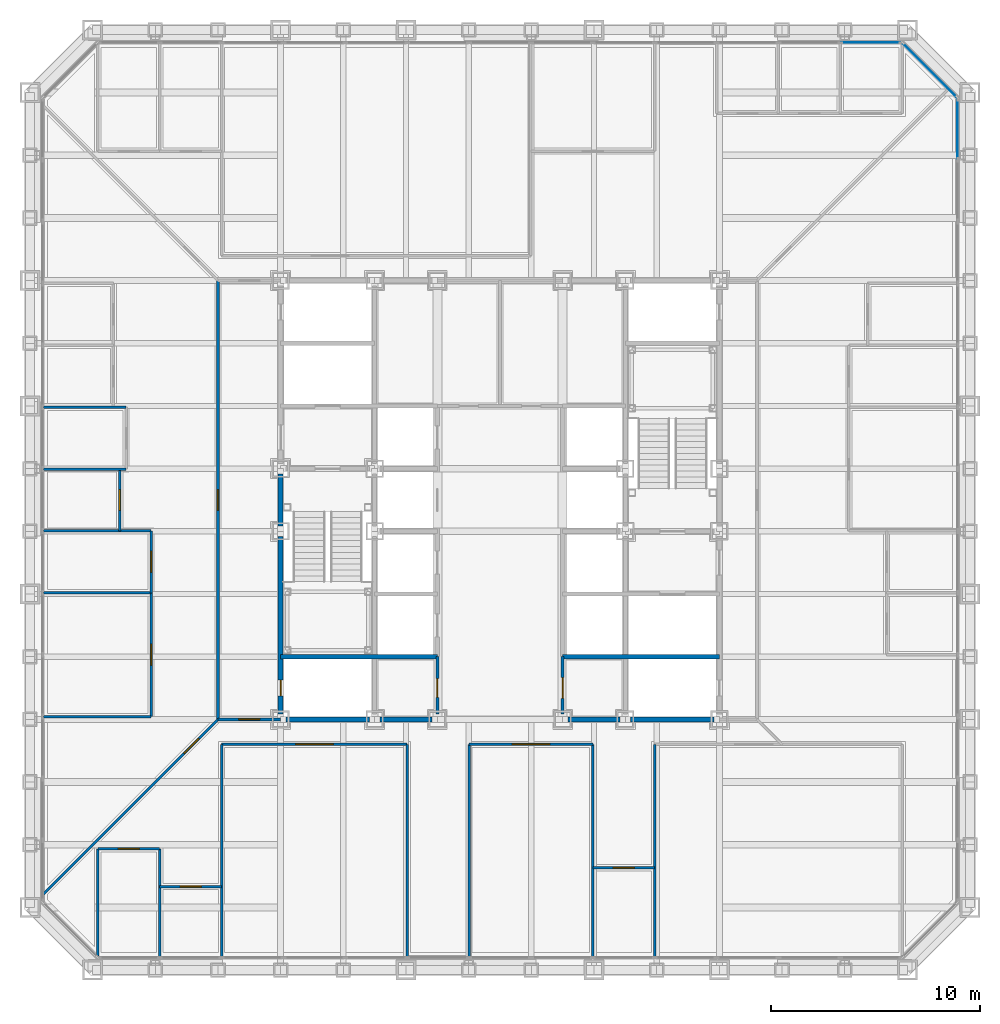
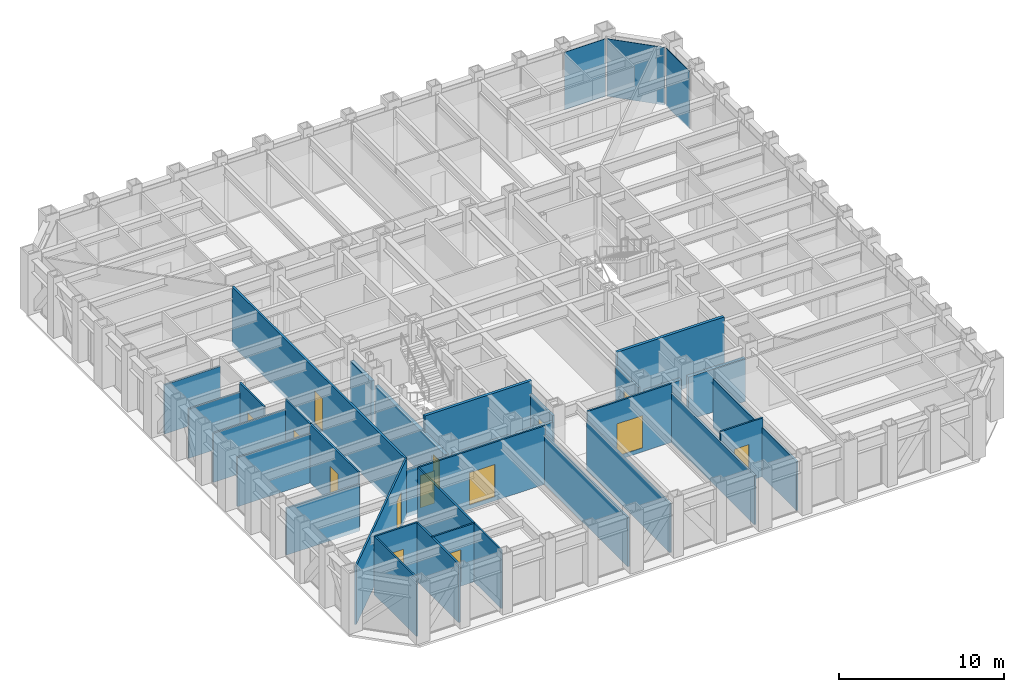
# One storey, part 8 of 17: 33 walls, 14 doors, 3 plates, 14 openings, 3 elements without a shape of their own.
"""IFC4 building model written with IfcOpenShell, lengths in metres."""

from ifc_helpers import new_model, si_unit, direction, frame, frame_2d, origin, origin_2d, place, context, subcontext, project, spatial, rectangle, extrude, material, layer, layer_set, type_object, element, fill, aggregate, save


model = new_model("IFC4")

# Units and contexts
model_context = context("Model", 3, precision=1e-05, world=origin(), true_north=direction((0.0, 1.0)))
body_context = subcontext(model_context, "Body", "Model", "MODEL_VIEW")
ifc_project = project(units=[si_unit("LENGTHUNIT", "METRE"), si_unit("AREAUNIT", "SQUARE_METRE"), si_unit("VOLUMEUNIT", "CUBIC_METRE"), si_unit("PLANEANGLEUNIT", "RADIAN"), si_unit("MASSUNIT", "GRAM", prefix="KILO")], contexts=[model_context])

# Site, building, storey
site_placement = place(None, origin())
site = spatial("IfcSite", under=ifc_project, at=site_placement, CompositionType="ELEMENT")
building_placement = place(site_placement, origin())
building = spatial("IfcBuilding", under=site, at=building_placement, Name="Chuquiago Exchange Tower", CompositionType="ELEMENT")
storey_placement = place(building_placement, frame((0.0, 0.0, 69.300048828125)))
storey = spatial("IfcBuildingStorey", under=building, at=storey_placement, Name="L14", CompositionType="ELEMENT", Elevation=69.300048828125)

# Curtain wall, plate
ifc_material_1 = material(Name="Aluminium curtain wall system", Category="aluminium")
ifc_layer_1 = layer(ifc_material_1, 0.25)
ifc_layer_set_1 = layer_set([ifc_layer_1], Name="CW1 trading floor curtain wall")
curtain_wall_type_1 = type_object("IfcCurtainWallType", Name="CW1 trading floor curtain wall", PredefinedType="NOTDEFINED", material=ifc_layer_set_1)
curtain_wall_1_placement = place(storey_placement, origin())
curtain_wall_1 = element("IfcCurtainWall", 1, at=curtain_wall_1_placement, inside=storey, type_object=curtain_wall_type_1, Name="CW1 curtain wall L14", PredefinedType="NOTDEFINED")
ifc_material_2 = material(Name="Insulated spandrel panel, pale anodised aluminium", Category="aluminium")
ifc_layer_2 = layer(ifc_material_2, 0.031982421875)
ifc_layer_set_2 = layer_set([ifc_layer_2], Name="CW1-P spandrel panel 32")
plate_type_1 = type_object("IfcPlateType", Name="CW1-P spandrel panel 32", PredefinedType="CURTAIN_PANEL", material=ifc_layer_set_2)
plate_1_placement = place(storey_placement, frame((44.39990234375, 40.251953125, -0.22509765625), z_axis=(0.0, 0.0, 1.0), x_axis=(0.0, 1.0, 0.0)))
plate_1 = element("IfcPlate", 2, at=plate_1_placement, type_object=plate_type_1, Name="CW1 panel 13.1", PredefinedType="CURTAIN_PANEL", context=body_context, shape_type="SweptSolid", body=[
    extrude(rectangle(XDim=2.849365234375, YDim=0.031982421875, at=origin_2d()), origin(), (0.0, 0.0, 1.0), 4.264892578125),
])
aggregate(curtain_wall_1, [plate_1])

curtain_wall_2_placement = place(storey_placement, origin())
curtain_wall_2 = element("IfcCurtainWall", 3, at=curtain_wall_2_placement, inside=storey, type_object=curtain_wall_type_1, Name="CW1 curtain wall L14", PredefinedType="NOTDEFINED")
plate_2_placement = place(storey_placement, frame((40.251953125, 44.39990234375, -0.22509765625), z_axis=(0.0, 0.0, 1.0), x_axis=(-1.0, 0.0, 0.0)))
plate_2 = element("IfcPlate", 4, at=plate_2_placement, type_object=plate_type_1, Name="CW1 panel 1.1", PredefinedType="CURTAIN_PANEL", context=body_context, shape_type="SweptSolid", body=[
    extrude(rectangle(XDim=2.849365234375, YDim=0.031982421875, at=origin_2d()), origin(), (0.0, 0.0, 1.0), 4.264892578125),
])
aggregate(curtain_wall_2, [plate_2])

ifc_material_3 = material(Name="Aluminium curtain wall system", Category="aluminium")
ifc_layer_3 = layer(ifc_material_3, 0.199951171875)
ifc_layer_set_3 = layer_set([ifc_layer_3], Name="CW3 facet curtain wall")
curtain_wall_type_2 = type_object("IfcCurtainWallType", Name="CW3 facet curtain wall", PredefinedType="NOTDEFINED", material=ifc_layer_set_3)
curtain_wall_3_placement = place(storey_placement, origin())
curtain_wall_3 = element("IfcCurtainWall", 5, at=curtain_wall_3_placement, inside=storey, type_object=curtain_wall_type_2, Name="CW3 curtain wall L14", PredefinedType="NOTDEFINED")
ifc_material_4 = material(Name="Insulated spandrel panel, pale anodised aluminium", Category="aluminium")
ifc_layer_4 = layer(ifc_material_4, 0.030029296875)
ifc_layer_set_4 = layer_set([ifc_layer_4], Name="CW3-P spandrel panel 30")
plate_type_2 = type_object("IfcPlateType", Name="CW3-P spandrel panel 30", PredefinedType="CURTAIN_PANEL", material=ifc_layer_set_4)
plate_3_placement = place(storey_placement, frame((43.07568359375, 43.07568359375, -0.235107421875), z_axis=(0.0, 0.0, 1.0), x_axis=(-0.707106781187, 0.707106781187, 0.0)))
plate_3 = element("IfcPlate", 6, at=plate_3_placement, type_object=plate_type_2, Name="CW3 panel 1.1", PredefinedType="CURTAIN_PANEL", context=body_context, shape_type="SweptSolid", body=[
    extrude(rectangle(XDim=3.615478515625, YDim=0.030029296875, at=origin_2d()), origin(), (0.0, 0.0, 1.0), 4.27490234375),
])
aggregate(curtain_wall_3, [plate_3])

# Wall, opening, door
ifc_material_5 = material(Name="Concrete masonry, fully grouted", Category="masonry")
ifc_layer_5 = layer(ifc_material_5, 0.25)
ifc_layer_set_5 = layer_set([ifc_layer_5], Name="W1 core wall 250")
wall_type_1 = type_object("IfcWallType", Name="W1 core wall 250", PredefinedType="SOLIDWALL", material=ifc_layer_set_5)
wall_1_placement = place(storey_placement, frame((12.0, 12.25, 0.0), z_axis=(0.0, 0.0, 1.0), x_axis=(0.0, 1.0, 0.0)))
wall_1 = element("IfcWall", 7, at=wall_1_placement, inside=storey, type_object=wall_type_1, Name="CW-L14-00-0", PredefinedType="SOLIDWALL", context=body_context, shape_type="SweptSolid", body=[
    extrude(rectangle(XDim=8.5, YDim=0.25, at=frame_2d((4.25, 0.0))), origin(), (0.0, 0.0, 1.0), 3.11279296875),
])
opening_1_placement = place(wall_1_placement, frame((0.875, 0.0, 0.0)))
opening_1 = element("IfcOpeningElement", 8, at=opening_1_placement, cuts=wall_1, Name="Opening L14-007", PredefinedType="OPENING", context=body_context, shape_type="SweptSolid", body=[
    extrude(rectangle(XDim=0.75, YDim=2.10009765625, at=frame_2d((0.375, 1.050048828125))), frame((0.0, 0.135009765625, 0.0), z_axis=(0.0, -1.0, 0.0), x_axis=(1.0, 0.0, 0.0)), (0.0, 0.0, 1.0), 0.27001953125),
])
ifc_material_6 = material(Name="Steel door, painted", Category="steel")
door_type_1 = type_object("IfcDoorType", Name="D6 riser access door 750x2100", OperationType="SINGLE_SWING_LEFT", PredefinedType="DOOR", material=ifc_material_6)
door_1_placement = place(opening_1_placement, origin())
door_1 = element("IfcDoor", 9, at=door_1_placement, inside=storey, type_object=door_type_1, Name="Riser RW1 door", OperationType="SINGLE_SWING_LEFT", OverallHeight=2.10009765625, OverallWidth=0.75, PredefinedType="DOOR", context=body_context, shape_type="SweptSolid", body=[
    extrude(rectangle(XDim=0.75, YDim=2.10009765625, at=frame_2d((0.375, 1.050048828125))), frame((0.0, 0.02490234375, 0.0), z_axis=(0.0, -1.0, 0.0), x_axis=(1.0, 0.0, 0.0)), (0.0, 0.0, 1.0), 0.050048828125),
])
fill(opening_1, door_1)

# Walls
wall_2_placement = place(storey_placement, frame((12.0, 21.25, 0.0), z_axis=(0.0, 0.0, 1.0), x_axis=(0.0, 1.0, 0.0)))
element("IfcWall", 10, at=wall_2_placement, inside=storey, type_object=wall_type_1, Name="CW-L14-00-1", PredefinedType="SOLIDWALL", context=body_context, shape_type="SweptSolid", body=[
    extrude(rectangle(XDim=2.5, YDim=0.25, at=frame_2d((1.25, 0.0))), origin(), (0.0, 0.0, 1.0), 3.11279296875),
])
wall_3_placement = place(storey_placement, frame((12.25, 12.0, 0.0), z_axis=(0.0, 0.0, 1.0), x_axis=(1.0, 0.0, 0.0)))
element("IfcWall", 11, at=wall_3_placement, inside=storey, type_object=wall_type_1, Name="CW-L14-01-0", PredefinedType="SOLIDWALL", context=body_context, shape_type="SweptSolid", body=[
    extrude(rectangle(XDim=4.0, YDim=0.25, at=frame_2d((2.0, 0.0))), origin(), (0.0, 0.0, 1.0), 3.181396484375),
])
for number, where, z_axis, x_axis, name in (
    (12, (16.75, 12.0, 0.0), (0.0, 0.0, 1.0), (1.0, 0.0, 0.0), "CW-L14-01-1"),
    (13, (25.75, 12.0, 0.0), (0.0, 0.0, 1.0), (1.0, 0.0, 0.0), "CW-L14-02-0"),
):
    element("IfcWall", number, at=place(storey_placement, frame(where, z_axis=z_axis, x_axis=x_axis)), inside=storey, type_object=wall_type_1, Name=name, PredefinedType="SOLIDWALL", context=body_context, shape_type="SweptSolid", body=[
        extrude(rectangle(XDim=2.5, YDim=0.25, at=frame_2d((1.25, 0.0))), origin(), (0.0, 0.0, 1.0), 3.181396484375),
    ])
wall_4_placement = place(storey_placement, frame((28.75, 12.0, 0.0), z_axis=(0.0, 0.0, 1.0), x_axis=(1.0, 0.0, 0.0)))
element("IfcWall", 14, at=wall_4_placement, inside=storey, type_object=wall_type_1, Name="CW-L14-02-1", PredefinedType="SOLIDWALL", context=body_context, shape_type="SweptSolid", body=[
    extrude(rectangle(XDim=4.0, YDim=0.25, at=frame_2d((2.0, 0.0))), origin(), (0.0, 0.0, 1.0), 3.181396484375),
])

# Wall, opening, door
ifc_material_7 = material(Name="Gypsum board on steel studs, acoustic insulation", Category="steel")
ifc_layer_6 = layer(ifc_material_7, 0.14990234375)
ifc_layer_set_6 = layer_set([ifc_layer_6], Name="W11 corridor wall 150")
wall_type_2 = type_object("IfcWallType", Name="W11 corridor wall 150", PredefinedType="PARTITIONING", material=ifc_layer_set_6)
wall_5_placement = place(storey_placement, frame((9.0, 12.0, -0.300048828125), z_axis=(0.0, 0.0, 1.0), x_axis=(0.0, 1.0, 0.0)))
wall_5 = element("IfcWall", 15, at=wall_5_placement, inside=storey, type_object=wall_type_2, Name="PW-L14-GW0", PredefinedType="PARTITIONING", context=body_context, shape_type="SweptSolid", body=[
    extrude(rectangle(XDim=21.0, YDim=0.14990234375, at=frame_2d((10.5, 0.0))), origin(), (0.0, 0.0, 1.0), 4.340087890625),
])
opening_2_placement = place(wall_5_placement, frame((10.0, 0.0, 0.300048828125)))
opening_2 = element("IfcOpeningElement", 16, at=opening_2_placement, cuts=wall_5, Name="Opening L14-043", PredefinedType="OPENING", context=body_context, shape_type="SweptSolid", body=[
    extrude(rectangle(XDim=1.0, YDim=2.39990234375, at=frame_2d((0.5, 1.199951171875))), frame((0.0, 0.0849609375, 0.0), z_axis=(0.0, -1.0, 0.0), x_axis=(1.0, 0.0, 0.0)), (0.0, 0.0, 1.0), 0.169921875),
])
ifc_material_8 = material(Name="Timber door, laminate faced", Category="wood")
door_type_2 = type_object("IfcDoorType", Name="D9 room door 1000x2400", OperationType="SINGLE_SWING_LEFT", PredefinedType="DOOR", material=ifc_material_8)
door_2_placement = place(opening_2_placement, origin())
door_2 = element("IfcDoor", 17, at=door_2_placement, inside=storey, type_object=door_type_2, Name="Team area door", OperationType="SINGLE_SWING_LEFT", OverallHeight=2.39990234375, OverallWidth=1.0, PredefinedType="DOOR", context=body_context, shape_type="SweptSolid", body=[
    extrude(rectangle(XDim=1.0, YDim=2.39990234375, at=frame_2d((0.5, 1.199951171875))), frame((0.0, 0.02490234375, 0.0), z_axis=(0.0, -1.0, 0.0), x_axis=(1.0, 0.0, 0.0)), (0.0, 0.0, 1.0), 0.050048828125),
])
fill(opening_2, door_2)

wall_6_placement = place(storey_placement, frame((9.0, 12.0, -0.300048828125), z_axis=(0.0, 0.0, 1.0), x_axis=(1.0, 0.0, 0.0)))
wall_6 = element("IfcWall", 18, at=wall_6_placement, inside=storey, type_object=wall_type_2, Name="PW-L14-GWS0", PredefinedType="PARTITIONING", context=body_context, shape_type="SweptSolid", body=[
    extrude(rectangle(XDim=3.0, YDim=0.14990234375, at=frame_2d((1.5, 0.0))), origin(), (0.0, 0.0, 1.0), 3.4814453125),
])
opening_3_placement = place(wall_6_placement, frame((1.0, 0.0, 0.300048828125)))
opening_3 = element("IfcOpeningElement", 19, at=opening_3_placement, cuts=wall_6, Name="Opening L14-045", PredefinedType="OPENING", context=body_context, shape_type="SweptSolid", body=[
    extrude(rectangle(XDim=1.0, YDim=2.39990234375, at=frame_2d((0.5, 1.199951171875))), frame((0.0, 0.0849609375, 0.0), z_axis=(0.0, -1.0, 0.0), x_axis=(1.0, 0.0, 0.0)), (0.0, 0.0, 1.0), 0.169921875),
])
door_3_placement = place(opening_3_placement, origin())
door_3 = element("IfcDoor", 20, at=door_3_placement, inside=storey, type_object=door_type_2, Name="Team area door", OperationType="SINGLE_SWING_RIGHT", OverallHeight=2.39990234375, OverallWidth=1.0, PredefinedType="DOOR", context=body_context, shape_type="SweptSolid", body=[
    extrude(rectangle(XDim=1.0, YDim=2.39990234375, at=frame_2d((0.5, 1.199951171875))), frame((0.0, 0.02490234375, 0.0), z_axis=(0.0, -1.0, 0.0), x_axis=(1.0, 0.0, 0.0)), (0.0, 0.0, 1.0), 0.050048828125),
])
fill(opening_3, door_3)

# Walls
ifc_material_9 = material(Name="Concrete masonry, fully grouted", Category="masonry")
ifc_layer_7 = layer(ifc_material_9, 0.199951171875)
ifc_layer_set_7 = layer_set([ifc_layer_7], Name="W2 shaft wall 200")
wall_type_3 = type_object("IfcWallType", Name="W2 shaft wall 200", PredefinedType="SOLIDWALL", material=ifc_layer_set_7)
for number, where, z_axis, x_axis, name in (
    (21, (12.0, 15.0, 0.0), (0.0, 0.0, 1.0), (1.0, 0.0, 0.0), "CW-L14-03-0"),
    (22, (25.5, 15.0, 0.0), (0.0, 0.0, 1.0), (1.0, 0.0, 0.0), "CW-L14-04-0"),
):
    element("IfcWall", number, at=place(storey_placement, frame(where, z_axis=z_axis, x_axis=x_axis)), inside=storey, type_object=wall_type_3, Name=name, PredefinedType="SOLIDWALL", context=body_context, shape_type="SweptSolid", body=[
        extrude(rectangle(XDim=7.5, YDim=0.199951171875, at=frame_2d((3.75, 0.0))), origin(), (0.0, 0.0, 1.0), 4.33984375),
    ])

# Wall, opening, door
ifc_material_10 = material(Name="Gypsum board on steel studs", Category="steel")
ifc_layer_8 = layer(ifc_material_10, 0.14990234375)
ifc_layer_set_8 = layer_set([ifc_layer_8], Name="W3 core partition 150")
wall_type_4 = type_object("IfcWallType", Name="W3 core partition 150", PredefinedType="PARTITIONING", material=ifc_layer_set_8)
wall_7_placement = place(storey_placement, frame((19.5, 12.25, 0.0), z_axis=(0.0, 0.0, 1.0), x_axis=(0.0, 1.0, 0.0)))
wall_7 = element("IfcWall", 23, at=wall_7_placement, inside=storey, type_object=wall_type_4, Name="CW-L14-18-0", PredefinedType="PARTITIONING", context=body_context, shape_type="SweptSolid", body=[
    extrude(rectangle(XDim=2.75, YDim=0.14990234375, at=frame_2d((1.375, 0.0))), origin(), (0.0, 0.0, 1.0), 3.364501953125),
])
opening_4_placement = place(wall_7_placement, frame((0.800048828125, 0.0, 0.0)))
opening_4 = element("IfcOpeningElement", 24, at=opening_4_placement, cuts=wall_7, Name="Opening L14-014", PredefinedType="OPENING", context=body_context, shape_type="SweptSolid", body=[
    extrude(rectangle(XDim=0.89990234375, YDim=2.10009765625, at=frame_2d((0.449951171875, 1.050048828125))), frame((0.0, 0.0849609375, 0.0), z_axis=(0.0, -1.0, 0.0), x_axis=(1.0, 0.0, 0.0)), (0.0, 0.0, 1.0), 0.169921875),
])
ifc_material_11 = material(Name="Timber door, laminate faced", Category="wood")
door_type_3 = type_object("IfcDoorType", Name="D7 toilet door 900x2100", OperationType="SINGLE_SWING_LEFT", PredefinedType="DOOR", material=ifc_material_11)
door_4_placement = place(opening_4_placement, frame((0.89990234375, 0.0, 0.0), z_axis=(0.0, 0.0, 1.0), x_axis=(-1.0, 0.0, 0.0)))
door_4 = element("IfcDoor", 25, at=door_4_placement, inside=storey, type_object=door_type_3, Name="Cleaner door", OperationType="SINGLE_SWING_RIGHT", OverallHeight=2.10009765625, OverallWidth=0.89990234375, PredefinedType="DOOR", context=body_context, shape_type="SweptSolid", body=[
    extrude(rectangle(XDim=0.89990234375, YDim=2.10009765625, at=frame_2d((0.449951171875, 1.050048828125))), frame((0.0, 0.02490234375, 0.0), z_axis=(0.0, -1.0, 0.0), x_axis=(1.0, 0.0, 0.0)), (0.0, 0.0, 1.0), 0.050048828125),
])
fill(opening_4, door_4)

wall_8_placement = place(storey_placement, frame((25.5, 12.25, 0.0), z_axis=(0.0, 0.0, 1.0), x_axis=(0.0, 1.0, 0.0)))
wall_8 = element("IfcWall", 26, at=wall_8_placement, inside=storey, type_object=wall_type_4, Name="CW-L14-21-0", PredefinedType="PARTITIONING", context=body_context, shape_type="SweptSolid", body=[
    extrude(rectangle(XDim=2.75, YDim=0.14990234375, at=frame_2d((1.375, 0.0))), origin(), (0.0, 0.0, 1.0), 3.364501953125),
])
opening_5_placement = place(wall_8_placement, frame((0.75, 0.0, 0.0)))
opening_5 = element("IfcOpeningElement", 27, at=opening_5_placement, cuts=wall_8, Name="Opening L14-013", PredefinedType="OPENING", context=body_context, shape_type="SweptSolid", body=[
    extrude(rectangle(XDim=1.0, YDim=2.10009765625, at=frame_2d((0.5, 1.050048828125))), frame((0.0, 0.0849609375, 0.0), z_axis=(0.0, -1.0, 0.0), x_axis=(1.0, 0.0, 0.0)), (0.0, 0.0, 1.0), 0.169921875),
])
ifc_material_12 = material(Name="Timber door, laminate faced", Category="wood")
door_type_4 = type_object("IfcDoorType", Name="D8 accessible toilet door 1000x2100", OperationType="SLIDING_TO_LEFT", PredefinedType="DOOR", material=ifc_material_12)
door_5_placement = place(opening_5_placement, origin())
door_5 = element("IfcDoor", 28, at=door_5_placement, inside=storey, type_object=door_type_4, Name="Accessible WC door", OperationType="SLIDING_TO_LEFT", OverallHeight=2.10009765625, OverallWidth=1.0, PredefinedType="DOOR", context=body_context, shape_type="SweptSolid", body=[
    extrude(rectangle(XDim=1.0, YDim=2.10009765625, at=frame_2d((0.5, 1.050048828125))), frame((0.0, 0.02490234375, 0.0), z_axis=(0.0, -1.0, 0.0), x_axis=(1.0, 0.0, 0.0)), (0.0, 0.0, 1.0), 0.050048828125),
])
fill(opening_5, door_5)

# Walls
ifc_material_13 = material(Name="Gypsum board on steel studs", Category="steel")
ifc_layer_9 = layer(ifc_material_13, 0.1201171875)
ifc_layer_set_9 = layer_set([ifc_layer_9], Name="W4 partition 120")
wall_type_5 = type_object("IfcWallType", Name="W4 partition 120", PredefinedType="PARTITIONING", material=ifc_layer_set_9)
wall_9_placement = place(storey_placement, frame((3.24853515625, 0.666015625, -0.300048828125), z_axis=(0.0, 0.0, 1.0), x_axis=(0.0, 1.0, 0.0)))
element("IfcWall", 29, at=wall_9_placement, inside=storey, type_object=wall_type_5, Name="PW-L14-S00325", PredefinedType="PARTITIONING", context=body_context, shape_type="SweptSolid", body=[
    extrude(rectangle(XDim=5.134033203125, YDim=0.1201171875, at=frame_2d((2.56689453125, 0.0))), origin(), (0.0, 0.0, 1.0), 4.340087890625),
])
wall_10_placement = place(storey_placement, frame((6.210205078125, 0.657470703125, -0.300048828125), z_axis=(0.0, 0.0, 1.0), x_axis=(0.0, 1.0, 0.0)))
element("IfcWall", 30, at=wall_10_placement, inside=storey, type_object=wall_type_5, Name="PW-L14-S00621", PredefinedType="PARTITIONING", context=body_context, shape_type="SweptSolid", body=[
    extrude(rectangle(XDim=5.142578125, YDim=0.1201171875, at=frame_2d((2.5712890625, 0.0))), origin(), (0.0, 0.0, 1.0), 4.340087890625),
])
wall_11_placement = place(storey_placement, frame((9.172119140625, 0.657470703125, -0.300048828125), z_axis=(0.0, 0.0, 1.0), x_axis=(0.0, 1.0, 0.0)))
element("IfcWall", 31, at=wall_11_placement, inside=storey, type_object=wall_type_5, Name="PW-L14-S00917", PredefinedType="PARTITIONING", context=body_context, shape_type="SweptSolid", body=[
    extrude(rectangle(XDim=10.142578125, YDim=0.1201171875, at=frame_2d((5.0712890625, 0.0))), origin(), (0.0, 0.0, 1.0), 4.340087890625),
])
for number, where, z_axis, x_axis, name in (
    (32, (18.057373046875, 0.657470703125, -0.300048828125), (0.0, 0.0, 1.0), (0.0, 1.0, 0.0), "PW-L14-S01806"),
    (33, (21.01904296875, 0.657470703125, -0.300048828125), (0.0, 0.0, 1.0), (0.0, 1.0, 0.0), "PW-L14-S02102"),
    (34, (26.942626953125, 0.657470703125, -0.300048828125), (0.0, 0.0, 1.0), (0.0, 1.0, 0.0), "PW-L14-S02694"),
    (35, (29.904296875, 0.657470703125, -0.300048828125), (0.0, 0.0, 1.0), (0.0, 1.0, 0.0), "PW-L14-S02990"),
):
    element("IfcWall", number, at=place(storey_placement, frame(where, z_axis=z_axis, x_axis=x_axis)), inside=storey, type_object=wall_type_5, Name=name, PredefinedType="PARTITIONING", context=body_context, shape_type="SweptSolid", body=[
        extrude(rectangle(XDim=10.142578125, YDim=0.1201171875, at=frame_2d((5.0712890625, 0.0))), origin(), (0.0, 0.0, 1.0), 3.646484375),
    ])

# Wall, opening, door
wall_12_placement = place(storey_placement, frame((3.24853515625, 5.800048828125, -0.300048828125), z_axis=(0.0, 0.0, 1.0), x_axis=(1.0, 0.0, 0.0)))
wall_12 = element("IfcWall", 36, at=wall_12_placement, inside=storey, type_object=wall_type_5, Name="PW-L14-SF00325", PredefinedType="PARTITIONING", context=body_context, shape_type="SweptSolid", body=[
    extrude(rectangle(XDim=2.961669921875, YDim=0.1201171875, at=frame_2d((1.48095703125, 0.0))), origin(), (0.0, 0.0, 1.0), 4.340087890625),
])
opening_6_placement = place(wall_12_placement, frame((0.98095703125, 0.0, 0.300048828125)))
opening_6 = element("IfcOpeningElement", 37, at=opening_6_placement, cuts=wall_12, Name="Opening L14-019", PredefinedType="OPENING", context=body_context, shape_type="SweptSolid", body=[
    extrude(rectangle(XDim=1.0, YDim=2.39990234375, at=frame_2d((0.5, 1.199951171875))), frame((0.0, 0.070068359375, 0.0), z_axis=(0.0, -1.0, 0.0), x_axis=(1.0, 0.0, 0.0)), (0.0, 0.0, 1.0), 0.14013671875),
])
door_6_placement = place(opening_6_placement, frame((1.0, 0.0, 0.0), z_axis=(0.0, 0.0, 1.0), x_axis=(-1.0, 0.0, 0.0)))
door_6 = element("IfcDoor", 38, at=door_6_placement, inside=storey, type_object=door_type_2, Name="Office door", OperationType="SINGLE_SWING_RIGHT", OverallHeight=2.39990234375, OverallWidth=1.0, PredefinedType="DOOR", context=body_context, shape_type="SweptSolid", body=[
    extrude(rectangle(XDim=1.0, YDim=2.39990234375, at=frame_2d((0.5, 1.199951171875))), frame((0.0, 0.02490234375, 0.0), z_axis=(0.0, -1.0, 0.0), x_axis=(1.0, 0.0, 0.0)), (0.0, 0.0, 1.0), 0.050048828125),
])
fill(opening_6, door_6)

wall_13_placement = place(storey_placement, frame((6.210205078125, 4.0, -0.300048828125), z_axis=(0.0, 0.0, 1.0), x_axis=(1.0, 0.0, 0.0)))
wall_13 = element("IfcWall", 39, at=wall_13_placement, inside=storey, type_object=wall_type_5, Name="PW-L14-SF00621", PredefinedType="PARTITIONING", context=body_context, shape_type="SweptSolid", body=[
    extrude(rectangle(XDim=2.9619140625, YDim=0.1201171875, at=frame_2d((1.48095703125, 0.0))), origin(), (0.0, 0.0, 1.0), 4.340087890625),
])
opening_7_placement = place(wall_13_placement, frame((0.98095703125, 0.0, 0.300048828125)))
opening_7 = element("IfcOpeningElement", 40, at=opening_7_placement, cuts=wall_13, Name="Opening L14-020", PredefinedType="OPENING", context=body_context, shape_type="SweptSolid", body=[
    extrude(rectangle(XDim=1.0, YDim=2.39990234375, at=frame_2d((0.5, 1.199951171875))), frame((0.0, 0.070068359375, 0.0), z_axis=(0.0, -1.0, 0.0), x_axis=(1.0, 0.0, 0.0)), (0.0, 0.0, 1.0), 0.14013671875),
])
ifc_material_14 = material(Name="Timber frame door, full height glazed panel", Category="wood")
door_type_5 = type_object("IfcDoorType", Name="D14 glazed meeting room door 1000x2400", OperationType="SINGLE_SWING_LEFT", PredefinedType="DOOR", material=ifc_material_14)
door_7_placement = place(opening_7_placement, frame((1.0, 0.0, 0.0), z_axis=(0.0, 0.0, 1.0), x_axis=(-1.0, 0.0, 0.0)))
door_7 = element("IfcDoor", 41, at=door_7_placement, inside=storey, type_object=door_type_5, Name="Focus room door", OperationType="SINGLE_SWING_RIGHT", OverallHeight=2.39990234375, OverallWidth=1.0, PredefinedType="DOOR", context=body_context, shape_type="SweptSolid", body=[
    extrude(rectangle(XDim=1.0, YDim=2.39990234375, at=frame_2d((0.5, 1.199951171875))), frame((0.0, 0.02490234375, 0.0), z_axis=(0.0, -1.0, 0.0), x_axis=(1.0, 0.0, 0.0)), (0.0, 0.0, 1.0), 0.050048828125),
])
fill(opening_7, door_7)

wall_14_placement = place(storey_placement, frame((9.172119140625, 10.800048828125, -0.300048828125), z_axis=(0.0, 0.0, 1.0), x_axis=(1.0, 0.0, 0.0)))
wall_14 = element("IfcWall", 42, at=wall_14_placement, inside=storey, type_object=wall_type_5, Name="PW-L14-SF00917", PredefinedType="PARTITIONING", context=body_context, shape_type="SweptSolid", body=[
    extrude(rectangle(XDim=8.88525390625, YDim=0.1201171875, at=frame_2d((4.442626953125, 0.0))), origin(), (0.0, 0.0, 1.0), 4.340087890625),
])
opening_8_placement = place(wall_14_placement, frame((3.542724609375, 0.0, 0.300048828125)))
opening_8 = element("IfcOpeningElement", 43, at=opening_8_placement, cuts=wall_14, Name="Opening L14-021", PredefinedType="OPENING", context=body_context, shape_type="SweptSolid", body=[
    extrude(rectangle(XDim=1.800048828125, YDim=2.39990234375, at=frame_2d((0.89990234375, 1.199951171875))), frame((0.0, 0.070068359375, 0.0), z_axis=(0.0, -1.0, 0.0), x_axis=(1.0, 0.0, 0.0)), (0.0, 0.0, 1.0), 0.14013671875),
])
ifc_material_15 = material(Name="Timber door pair, laminate faced", Category="wood")
door_type_6 = type_object("IfcDoorType", Name="D15 double room door 1800x2400", OperationType="DOUBLE_DOOR_DOUBLE_SWING", PredefinedType="DOOR", material=ifc_material_15)
door_8_placement = place(opening_8_placement, origin())
door_8 = element("IfcDoor", 44, at=door_8_placement, inside=storey, type_object=door_type_6, Name="Trading room door", OperationType="DOUBLE_DOOR_DOUBLE_SWING", OverallHeight=2.39990234375, OverallWidth=1.800048828125, PredefinedType="DOOR", context=body_context, shape_type="SweptSolid", body=[
    extrude(rectangle(XDim=1.800048828125, YDim=2.39990234375, at=frame_2d((0.89990234375, 1.199951171875))), frame((0.0, 0.02490234375, 0.0), z_axis=(0.0, -1.0, 0.0), x_axis=(1.0, 0.0, 0.0)), (0.0, 0.0, 1.0), 0.050048828125),
])
fill(opening_8, door_8)

wall_15_placement = place(storey_placement, frame((21.01904296875, 10.800048828125, -0.300048828125), z_axis=(0.0, 0.0, 1.0), x_axis=(1.0, 0.0, 0.0)))
wall_15 = element("IfcWall", 45, at=wall_15_placement, inside=storey, type_object=wall_type_5, Name="PW-L14-SF02102", PredefinedType="PARTITIONING", context=body_context, shape_type="SweptSolid", body=[
    extrude(rectangle(XDim=5.923583984375, YDim=0.1201171875, at=frame_2d((2.9619140625, 0.0))), origin(), (0.0, 0.0, 1.0), 4.340087890625),
])
opening_9_placement = place(wall_15_placement, frame((2.061767578125, 0.0, 0.300048828125)))
opening_9 = element("IfcOpeningElement", 46, at=opening_9_placement, cuts=wall_15, Name="Opening L14-022", PredefinedType="OPENING", context=body_context, shape_type="SweptSolid", body=[
    extrude(rectangle(XDim=1.800048828125, YDim=2.39990234375, at=frame_2d((0.89990234375, 1.199951171875))), frame((0.0, 0.070068359375, 0.0), z_axis=(0.0, -1.0, 0.0), x_axis=(1.0, 0.0, 0.0)), (0.0, 0.0, 1.0), 0.14013671875),
])
door_9_placement = place(opening_9_placement, origin())
door_9 = element("IfcDoor", 47, at=door_9_placement, inside=storey, type_object=door_type_6, Name="Trading room door", OperationType="DOUBLE_DOOR_DOUBLE_SWING", OverallHeight=2.39990234375, OverallWidth=1.800048828125, PredefinedType="DOOR", context=body_context, shape_type="SweptSolid", body=[
    extrude(rectangle(XDim=1.800048828125, YDim=2.39990234375, at=frame_2d((0.89990234375, 1.199951171875))), frame((0.0, 0.02490234375, 0.0), z_axis=(0.0, -1.0, 0.0), x_axis=(1.0, 0.0, 0.0)), (0.0, 0.0, 1.0), 0.050048828125),
])
fill(opening_9, door_9)

wall_16_placement = place(storey_placement, frame((26.942626953125, 4.89990234375, -0.300048828125), z_axis=(0.0, 0.0, 1.0), x_axis=(1.0, 0.0, 0.0)))
wall_16 = element("IfcWall", 48, at=wall_16_placement, inside=storey, type_object=wall_type_5, Name="PW-L14-SF02694", PredefinedType="PARTITIONING", context=body_context, shape_type="SweptSolid", body=[
    extrude(rectangle(XDim=2.961669921875, YDim=0.1201171875, at=frame_2d((1.48095703125, 0.0))), origin(), (0.0, 0.0, 1.0), 4.340087890625),
])
opening_10_placement = place(wall_16_placement, frame((0.98095703125, 0.0, 0.300048828125)))
opening_10 = element("IfcOpeningElement", 49, at=opening_10_placement, cuts=wall_16, Name="Opening L14-023", PredefinedType="OPENING", context=body_context, shape_type="SweptSolid", body=[
    extrude(rectangle(XDim=1.0, YDim=2.39990234375, at=frame_2d((0.5, 1.199951171875))), frame((0.0, 0.070068359375, 0.0), z_axis=(0.0, -1.0, 0.0), x_axis=(1.0, 0.0, 0.0)), (0.0, 0.0, 1.0), 0.14013671875),
])
door_10_placement = place(opening_10_placement, frame((1.0, 0.0, 0.0), z_axis=(0.0, 0.0, 1.0), x_axis=(-1.0, 0.0, 0.0)))
door_10 = element("IfcDoor", 50, at=door_10_placement, inside=storey, type_object=door_type_2, Name="Comms room door", OperationType="SINGLE_SWING_RIGHT", OverallHeight=2.39990234375, OverallWidth=1.0, PredefinedType="DOOR", context=body_context, shape_type="SweptSolid", body=[
    extrude(rectangle(XDim=1.0, YDim=2.39990234375, at=frame_2d((0.5, 1.199951171875))), frame((0.0, 0.02490234375, 0.0), z_axis=(0.0, -1.0, 0.0), x_axis=(1.0, 0.0, 0.0)), (0.0, 0.0, 1.0), 0.050048828125),
])
fill(opening_10, door_10)

# Walls
wall_17_placement = place(storey_placement, frame((0.657470703125, 12.1337890625, -0.300048828125), z_axis=(0.0, 0.0, 1.0), x_axis=(1.0, 0.0, 0.0)))
element("IfcWall", 51, at=wall_17_placement, inside=storey, type_object=wall_type_5, Name="PW-L14-W01213", PredefinedType="PARTITIONING", context=body_context, shape_type="SweptSolid", body=[
    extrude(rectangle(XDim=5.142578125, YDim=0.1201171875, at=frame_2d((2.5712890625, 0.0))), origin(), (0.0, 0.0, 1.0), 3.4814453125),
])
for number, where, z_axis, x_axis, name in (
    (52, (0.657470703125, 18.057373046875, -0.300048828125), (0.0, 0.0, 1.0), (1.0, 0.0, 0.0), "PW-L14-W01806"),
    (53, (0.657470703125, 21.01904296875, -0.300048828125), (0.0, 0.0, 1.0), (1.0, 0.0, 0.0), "PW-L14-W02102"),
):
    element("IfcWall", number, at=place(storey_placement, frame(where, z_axis=z_axis, x_axis=x_axis)), inside=storey, type_object=wall_type_5, Name=name, PredefinedType="PARTITIONING", context=body_context, shape_type="SweptSolid", body=[
        extrude(rectangle(XDim=5.142578125, YDim=0.1201171875, at=frame_2d((2.5712890625, 0.0))), origin(), (0.0, 0.0, 1.0), 3.646484375),
    ])
for number, where, z_axis, x_axis, name in (
    (54, (0.657470703125, 23.98095703125, -0.300048828125), (0.0, 0.0, 1.0), (1.0, 0.0, 0.0), "PW-L14-W02398"),
    (55, (0.657470703125, 26.942626953125, -0.300048828125), (0.0, 0.0, 1.0), (1.0, 0.0, 0.0), "PW-L14-W02694"),
):
    element("IfcWall", number, at=place(storey_placement, frame(where, z_axis=z_axis, x_axis=x_axis)), inside=storey, type_object=wall_type_5, Name=name, PredefinedType="PARTITIONING", context=body_context, shape_type="SweptSolid", body=[
        extrude(rectangle(XDim=3.942626953125, YDim=0.1201171875, at=frame_2d((1.97119140625, 0.0))), origin(), (0.0, 0.0, 1.0), 3.646484375),
    ])

# Wall, opening, door
wall_18_placement = place(storey_placement, frame((5.800048828125, 12.1337890625, -0.300048828125), z_axis=(0.0, 0.0, 1.0), x_axis=(0.0, 1.0, 0.0)))
wall_18 = element("IfcWall", 56, at=wall_18_placement, inside=storey, type_object=wall_type_5, Name="PW-L14-WF01213", PredefinedType="PARTITIONING", context=body_context, shape_type="SweptSolid", body=[
    extrude(rectangle(XDim=5.923583984375, YDim=0.1201171875, at=frame_2d((2.9619140625, 0.0))), origin(), (0.0, 0.0, 1.0), 4.340087890625),
])
opening_11_placement = place(wall_18_placement, frame((2.4619140625, 0.0, 0.300048828125)))
opening_11 = element("IfcOpeningElement", 57, at=opening_11_placement, cuts=wall_18, Name="Opening L14-037", PredefinedType="OPENING", context=body_context, shape_type="SweptSolid", body=[
    extrude(rectangle(XDim=1.0, YDim=2.39990234375, at=frame_2d((0.5, 1.199951171875))), frame((0.0, 0.070068359375, 0.0), z_axis=(0.0, -1.0, 0.0), x_axis=(1.0, 0.0, 0.0)), (0.0, 0.0, 1.0), 0.14013671875),
])
door_11_placement = place(opening_11_placement, origin())
door_11 = element("IfcDoor", 58, at=door_11_placement, inside=storey, type_object=door_type_5, Name="Meeting room door", OperationType="SINGLE_SWING_LEFT", OverallHeight=2.39990234375, OverallWidth=1.0, PredefinedType="DOOR", context=body_context, shape_type="SweptSolid", body=[
    extrude(rectangle(XDim=1.0, YDim=2.39990234375, at=frame_2d((0.5, 1.199951171875))), frame((0.0, 0.02490234375, 0.0), z_axis=(0.0, -1.0, 0.0), x_axis=(1.0, 0.0, 0.0)), (0.0, 0.0, 1.0), 0.050048828125),
])
fill(opening_11, door_11)

wall_19_placement = place(storey_placement, frame((5.800048828125, 18.057373046875, -0.300048828125), z_axis=(0.0, 0.0, 1.0), x_axis=(0.0, 1.0, 0.0)))
wall_19 = element("IfcWall", 59, at=wall_19_placement, inside=storey, type_object=wall_type_5, Name="PW-L14-WF01806", PredefinedType="PARTITIONING", context=body_context, shape_type="SweptSolid", body=[
    extrude(rectangle(XDim=2.961669921875, YDim=0.1201171875, at=frame_2d((1.48095703125, 0.0))), origin(), (0.0, 0.0, 1.0), 4.340087890625),
])
opening_12_placement = place(wall_19_placement, frame((0.98095703125, 0.0, 0.300048828125)))
opening_12 = element("IfcOpeningElement", 60, at=opening_12_placement, cuts=wall_19, Name="Opening L14-038", PredefinedType="OPENING", context=body_context, shape_type="SweptSolid", body=[
    extrude(rectangle(XDim=1.0, YDim=2.39990234375, at=frame_2d((0.5, 1.199951171875))), frame((0.0, 0.070068359375, 0.0), z_axis=(0.0, -1.0, 0.0), x_axis=(1.0, 0.0, 0.0)), (0.0, 0.0, 1.0), 0.14013671875),
])
door_12_placement = place(opening_12_placement, origin())
door_12 = element("IfcDoor", 61, at=door_12_placement, inside=storey, type_object=door_type_2, Name="Office door", OperationType="SINGLE_SWING_RIGHT", OverallHeight=2.39990234375, OverallWidth=1.0, PredefinedType="DOOR", context=body_context, shape_type="SweptSolid", body=[
    extrude(rectangle(XDim=1.0, YDim=2.39990234375, at=frame_2d((0.5, 1.199951171875))), frame((0.0, 0.02490234375, 0.0), z_axis=(0.0, -1.0, 0.0), x_axis=(1.0, 0.0, 0.0)), (0.0, 0.0, 1.0), 0.050048828125),
])
fill(opening_12, door_12)

wall_20_placement = place(storey_placement, frame((4.300048828125, 21.01904296875, -0.300048828125), z_axis=(0.0, 0.0, 1.0), x_axis=(0.0, 1.0, 0.0)))
wall_20 = element("IfcWall", 62, at=wall_20_placement, inside=storey, type_object=wall_type_5, Name="PW-L14-WF02102", PredefinedType="PARTITIONING", context=body_context, shape_type="SweptSolid", body=[
    extrude(rectangle(XDim=2.9619140625, YDim=0.1201171875, at=frame_2d((1.48095703125, 0.0))), origin(), (0.0, 0.0, 1.0), 4.340087890625),
])
opening_13_placement = place(wall_20_placement, frame((0.98095703125, 0.0, 0.300048828125)))
opening_13 = element("IfcOpeningElement", 63, at=opening_13_placement, cuts=wall_20, Name="Opening L14-039", PredefinedType="OPENING", context=body_context, shape_type="SweptSolid", body=[
    extrude(rectangle(XDim=1.0, YDim=2.39990234375, at=frame_2d((0.5, 1.199951171875))), frame((0.0, 0.070068359375, 0.0), z_axis=(0.0, -1.0, 0.0), x_axis=(1.0, 0.0, 0.0)), (0.0, 0.0, 1.0), 0.14013671875),
])
door_13_placement = place(opening_13_placement, origin())
door_13 = element("IfcDoor", 64, at=door_13_placement, inside=storey, type_object=door_type_2, Name="Store door", OperationType="SINGLE_SWING_RIGHT", OverallHeight=2.39990234375, OverallWidth=1.0, PredefinedType="DOOR", context=body_context, shape_type="SweptSolid", body=[
    extrude(rectangle(XDim=1.0, YDim=2.39990234375, at=frame_2d((0.5, 1.199951171875))), frame((0.0, 0.02490234375, 0.0), z_axis=(0.0, -1.0, 0.0), x_axis=(1.0, 0.0, 0.0)), (0.0, 0.0, 1.0), 0.050048828125),
])
fill(opening_13, door_13)

wall_21_placement = place(storey_placement, frame((9.0, 12.0, -0.300048828125), z_axis=(0.0, 0.0, 1.0), x_axis=(-0.707106781187, -0.707106781187, 0.0)))
wall_21 = element("IfcWall", 65, at=wall_21_placement, inside=storey, type_object=wall_type_5, Name="PW-L14-QSW", PredefinedType="PARTITIONING", context=body_context, shape_type="SweptSolid", body=[
    extrude(rectangle(XDim=11.84228515625, YDim=0.1201171875, at=frame_2d((5.921142578125, 0.0))), origin(), (0.0, 0.0, 1.0), 4.340087890625),
])
opening_14_placement = place(wall_21_placement, frame((1.300048828125, 0.0, 0.300048828125)))
opening_14 = element("IfcOpeningElement", 66, at=opening_14_placement, cuts=wall_21, Name="Opening L14-049", PredefinedType="OPENING", context=body_context, shape_type="SweptSolid", body=[
    extrude(rectangle(XDim=1.0, YDim=2.39990234375, at=frame_2d((0.5, 1.199951171875))), frame((0.0, 0.070068359375, 0.0), z_axis=(0.0, -1.0, 0.0), x_axis=(1.0, 0.0, 0.0)), (0.0, 0.0, 1.0), 0.14013671875),
])
door_14_placement = place(opening_14_placement, frame((1.0, 0.0, 0.0), z_axis=(0.0, 0.0, 1.0), x_axis=(-1.0, 0.0, 0.0)))
door_14 = element("IfcDoor", 67, at=door_14_placement, inside=storey, type_object=door_type_2, Name="Team area door", OperationType="SINGLE_SWING_RIGHT", OverallHeight=2.39990234375, OverallWidth=1.0, PredefinedType="DOOR", context=body_context, shape_type="SweptSolid", body=[
    extrude(rectangle(XDim=1.0, YDim=2.39990234375, at=frame_2d((0.5, 1.199951171875))), frame((0.0, 0.02490234375, 0.0), z_axis=(0.0, -1.0, 0.0), x_axis=(1.0, 0.0, 0.0)), (0.0, 0.0, 1.0), 0.050048828125),
])
fill(opening_14, door_14)

save(model, "model.ifc")
